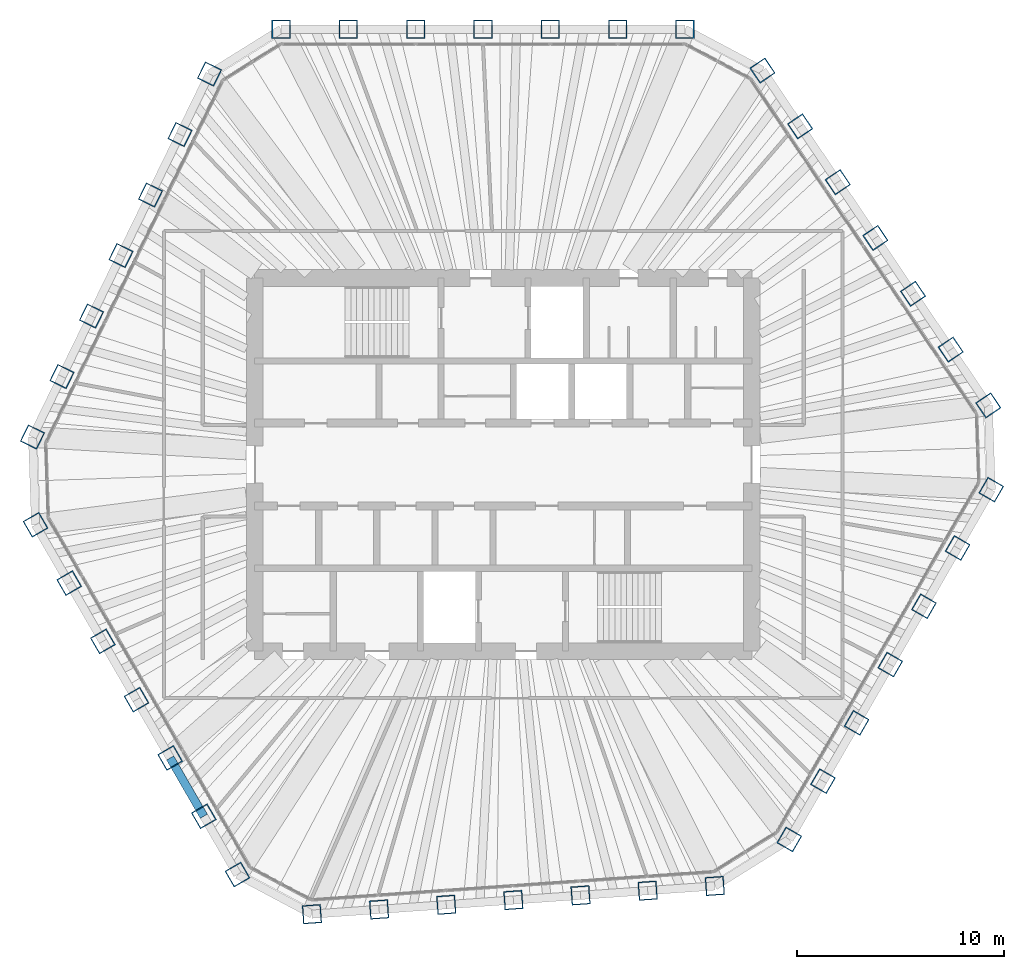
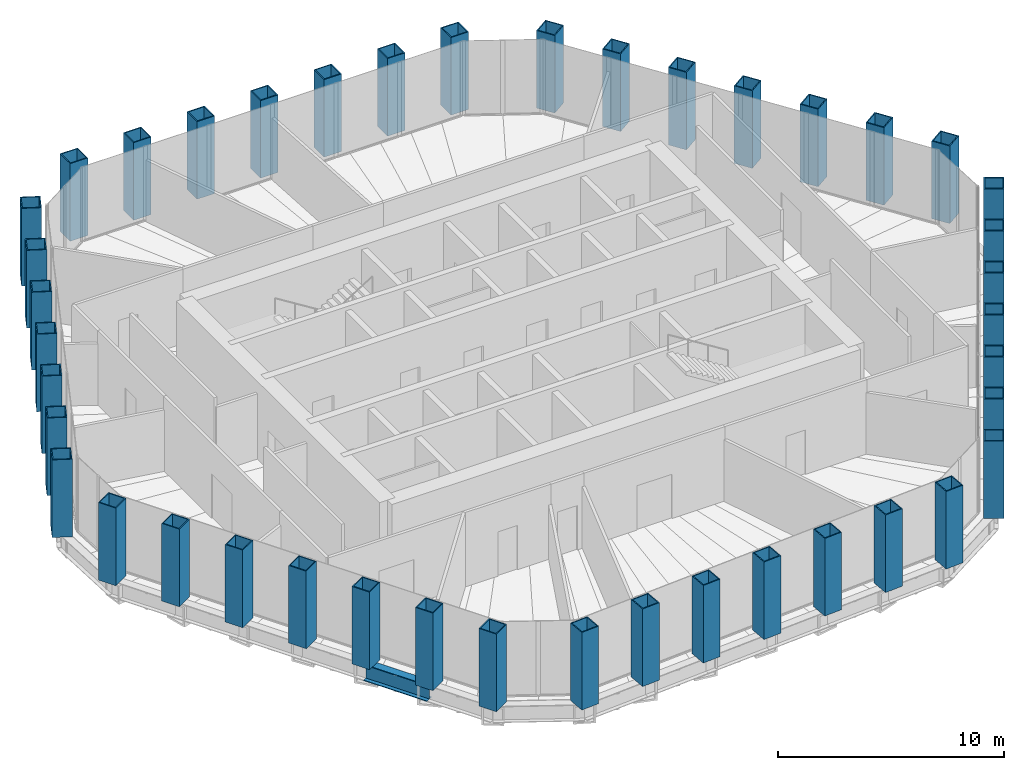
# One storey, part 1 of 14: 42 columns, 1 beam.
"""IFC4 building model written with IfcOpenShell, lengths in metres."""

from ifc_helpers import new_model, si_unit, direction, frame, origin, origin_2d, place, context, subcontext, project, spatial, hollow_rectangle, i_section, extrude, material, material_profile, profile_set, type_object, element, save


model = new_model("IFC4")

# Units and contexts
model_context = context("Model", 3, precision=1e-05, world=origin(), true_north=direction((0.0, 1.0)))
body_context = subcontext(model_context, "Body", "Model", "MODEL_VIEW")
ifc_project = project(units=[si_unit("LENGTHUNIT", "METRE"), si_unit("AREAUNIT", "SQUARE_METRE"), si_unit("VOLUMEUNIT", "CUBIC_METRE"), si_unit("PLANEANGLEUNIT", "RADIAN"), si_unit("MASSUNIT", "GRAM", prefix="KILO")], contexts=[model_context])

# Site, building, storey
site_placement = place(None, origin())
site = spatial("IfcSite", under=ifc_project, at=site_placement, CompositionType="ELEMENT")
building_placement = place(site_placement, origin())
building = spatial("IfcBuilding", under=site, at=building_placement, Name="Qingtian Harvest Tower", CompositionType="ELEMENT")
storey_placement = place(building_placement, frame((0.0, 0.0, 304.0)))
storey = spatial("IfcBuildingStorey", under=building, at=storey_placement, Name="L67", CompositionType="ELEMENT", Elevation=304.0)

# Columns
ifc_material_1 = material(Name="Steel SM570MC", Category="steel")
ifc_material_profile_1 = material_profile(ifc_material_1, hollow_rectangle(XDim=0.89990234375, YDim=0.89990234375, WallThickness=0.050048828125, at=origin_2d()), Name="BOX900x900x50")
ifc_profile_set_1 = profile_set([ifc_material_profile_1], Name="Steel SM570MC")
column_type = type_object("IfcColumnType", Name="Tube column TC8 BOX900x900x50", PredefinedType="COLUMN", material=ifc_profile_set_1)
for number, where, z_axis, x_axis, name in (
    (1, (-10.72216796875, 21.0, 0.0), (0.0, 0.0, 1.0), (-1.0, 0.0, 0.0), "Tube column TC8 N0"),
    (2, (-7.47412109375, 21.0, 0.0), (0.0, 0.0, 1.0), (-1.0, 0.0, 0.0), "Tube column TC8 N1"),
    (3, (-4.226318359375, 21.0, 0.0), (0.0, 0.0, 1.0), (-1.0, 0.0, 0.0), "Tube column TC8 N2"),
    (4, (-0.978271484375, 21.0, 0.0), (0.0, 0.0, 1.0), (-1.0, 0.0, 0.0), "Tube column TC8 N3"),
    (5, (2.269775390625, 21.0, 0.0), (0.0, 0.0, 1.0), (-1.0, 0.0, 0.0), "Tube column TC8 N4"),
    (6, (5.517822265625, 21.0, 0.0), (0.0, 0.0, 1.0), (-1.0, 0.0, 0.0), "Tube column TC8 N5"),
    (7, (8.765869140625, 21.0, 0.0), (0.0, 0.0, 1.0), (-1.0, 0.0, 0.0), "Tube column TC8 N6"),
    (8, (12.508056640625, 19.01025390625, 0.0), (0.0, 0.0, 1.0), (-0.559192903471, 0.829037572555, 0.0), "Tube column TC8 NE0"),
    (9, (14.32421875, 16.317626953125, 0.0), (0.0, 0.0, 1.0), (-0.559192903471, 0.829037572555, 0.0), "Tube column TC8 NE1"),
    (10, (16.140625, 13.624755859375, 0.0), (0.0, 0.0, 1.0), (-0.559192903471, 0.829037572555, 0.0), "Tube column TC8 NE2"),
    (11, (17.956787109375, 10.93212890625, 0.0), (0.0, 0.0, 1.0), (-0.559192903471, 0.829037572555, 0.0), "Tube column TC8 NE3"),
    (12, (19.77294921875, 8.2392578125, 0.0), (0.0, 0.0, 1.0), (-0.559192903471, 0.829037572555, 0.0), "Tube column TC8 NE4"),
    (13, (21.58935546875, 5.546630859375, 0.0), (0.0, 0.0, 1.0), (-0.559192903471, 0.829037572555, 0.0), "Tube column TC8 NE5"),
    (14, (23.405517578125, 2.85400390625, 0.0), (0.0, 0.0, 1.0), (-0.559192903471, 0.829037572555, 0.0), "Tube column TC8 NE6"),
    (15, (23.547607421875, -1.21435546875, 0.0), (0.0, 0.0, 1.0), (0.5, 0.866025403784, 0.0), "Tube column TC8 SE0"),
    (16, (21.923583984375, -4.027099609375, 0.0), (0.0, 0.0, 1.0), (0.5, 0.866025403784, 0.0), "Tube column TC8 SE1"),
    (17, (20.299560546875, -6.840087890625, 0.0), (0.0, 0.0, 1.0), (0.5, 0.866025403784, 0.0), "Tube column TC8 SE2"),
    (18, (18.675537109375, -9.65283203125, 0.0), (0.0, 0.0, 1.0), (0.5, 0.866025403784, 0.0), "Tube column TC8 SE3"),
    (19, (17.051513671875, -12.4658203125, 0.0), (0.0, 0.0, 1.0), (0.5, 0.866025403784, 0.0), "Tube column TC8 SE4"),
    (20, (15.427490234375, -15.278564453125, 0.0), (0.0, 0.0, 1.0), (0.5, 0.866025403784, 0.0), "Tube column TC8 SE5"),
    (21, (13.803466796875, -18.091552734375, 0.0), (0.0, 0.0, 1.0), (0.5, 0.866025403784, 0.0), "Tube column TC8 SE6"),
    (22, (10.20947265625, -20.33740234375, 0.0), (0.0, 0.0, 1.0), (0.99756405026, 0.069756473744, 0.0), "Tube column TC8 S0"),
    (23, (6.96923828125, -20.56396484375, 0.0), (0.0, 0.0, 1.0), (0.99756405026, 0.069756473744, 0.0), "Tube column TC8 S1"),
    (24, (3.729248046875, -20.79052734375, 0.0), (0.0, 0.0, 1.0), (0.99756405026, 0.069756473744, 0.0), "Tube column TC8 S2"),
    (25, (0.489013671875, -21.01708984375, 0.0), (0.0, 0.0, 1.0), (0.99756405026, 0.069756473744, 0.0), "Tube column TC8 S3"),
    (26, (-2.7509765625, -21.24365234375, 0.0), (0.0, 0.0, 1.0), (0.99756405026, 0.069756473744, 0.0), "Tube column TC8 S4"),
    (27, (-5.9912109375, -21.47021484375, 0.0), (0.0, 0.0, 1.0), (0.99756405026, 0.069756473744, 0.0), "Tube column TC8 S5"),
    (28, (-9.231201171875, -21.69677734375, 0.0), (0.0, 0.0, 1.0), (0.99756405026, 0.069756473744, 0.0), "Tube column TC8 S6"),
    (29, (-12.825439453125, -19.78564453125, 0.0), (0.0, 0.0, 1.0), (0.5, -0.866025403784, 0.0), "Tube column TC8 SW0"),
    (30, (-14.449462890625, -16.972900390625, 0.0), (0.0, 0.0, 1.0), (0.5, -0.866025403784, 0.0), "Tube column TC8 SW1"),
    (31, (-16.073486328125, -14.159912109375, 0.0), (0.0, 0.0, 1.0), (0.5, -0.866025403784, 0.0), "Tube column TC8 SW2"),
    (32, (-17.697509765625, -11.34716796875, 0.0), (0.0, 0.0, 1.0), (0.5, -0.866025403784, 0.0), "Tube column TC8 SW3"),
    (33, (-19.321533203125, -8.5341796875, 0.0), (0.0, 0.0, 1.0), (0.5, -0.866025403784, 0.0), "Tube column TC8 SW4"),
    (34, (-20.945556640625, -5.721435546875, 0.0), (0.0, 0.0, 1.0), (0.5, -0.866025403784, 0.0), "Tube column TC8 SW5"),
    (35, (-22.569580078125, -2.908447265625, 0.0), (0.0, 0.0, 1.0), (0.5, -0.866025403784, 0.0), "Tube column TC8 SW6"),
    (36, (-22.71728515625, 1.3271484375, 0.0), (0.0, 0.0, 1.0), (-0.438371146789, -0.898794046299, 0.0), "Tube column TC8 NW0"),
    (37, (-21.29345703125, 4.246337890625, 0.0), (0.0, 0.0, 1.0), (-0.438371146789, -0.898794046299, 0.0), "Tube column TC8 NW1"),
    (38, (-19.86962890625, 7.165771484375, 0.0), (0.0, 0.0, 1.0), (-0.438371146789, -0.898794046299, 0.0), "Tube column TC8 NW2"),
    (39, (-18.44580078125, 10.0849609375, 0.0), (0.0, 0.0, 1.0), (-0.438371146789, -0.898794046299, 0.0), "Tube column TC8 NW3"),
    (40, (-17.02197265625, 13.00439453125, 0.0), (0.0, 0.0, 1.0), (-0.438371146789, -0.898794046299, 0.0), "Tube column TC8 NW4"),
    (41, (-15.59814453125, 15.923583984375, 0.0), (0.0, 0.0, 1.0), (-0.438371146789, -0.898794046299, 0.0), "Tube column TC8 NW5"),
    (42, (-14.17431640625, 18.8427734375, 0.0), (0.0, 0.0, 1.0), (-0.438371146789, -0.898794046299, 0.0), "Tube column TC8 NW6"),
):
    element("IfcColumn", number, at=place(storey_placement, frame(where, z_axis=z_axis, x_axis=x_axis)), inside=storey, type_object=column_type, Name=name, PredefinedType="COLUMN", context=body_context, shape_type="SweptSolid", body=[
        extrude(hollow_rectangle(XDim=0.89990234375, YDim=0.89990234375, WallThickness=0.050048828125, at=origin_2d()), origin(), (0.0, 0.0, 1.0), 4.199951171875),
    ])

# Beam
ifc_material_2 = material(Name="Steel SN490B", Category="steel")
ifc_material_profile_2 = material_profile(ifc_material_2, i_section(OverallWidth=0.39990234375, OverallDepth=0.89990234375, WebThickness=0.01904296875, FlangeThickness=0.035888671875, at=origin_2d()), Name="H900x400x19x36")
ifc_profile_set_2 = profile_set([ifc_material_profile_2], Name="Steel SN490B")
beam_type = type_object("IfcBeamType", Name="Spandrel beam SB4 H900x400x19x36", PredefinedType="SPANDREL", material=ifc_profile_set_2)
beam_placement = place(storey_placement, frame((-14.449462890625, -16.972900390625, -0.449951171875), z_axis=(-0.499987045439, 0.866032882975, 0.0), x_axis=(-0.866032882975, -0.499987045439, 0.0)))
element("IfcBeam", 43, at=beam_placement, inside=storey, type_object=beam_type, Name="Spandrel SB4 SW1", PredefinedType="SPANDREL", context=body_context, shape_type="SweptSolid", body=[
    extrude(i_section(OverallWidth=0.39990234375, OverallDepth=0.89990234375, WebThickness=0.01904296875, FlangeThickness=0.035888671875, at=origin_2d()), origin(), (0.0, 0.0, 1.0), 3.248046875),
])

save(model, "model.ifc")
